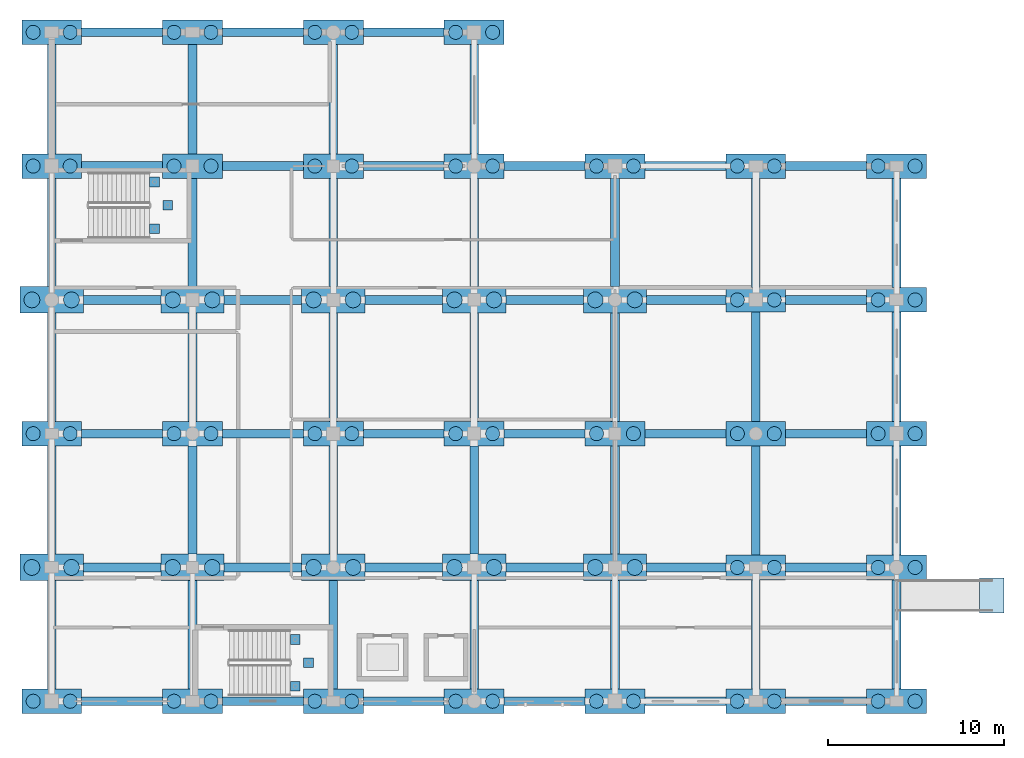
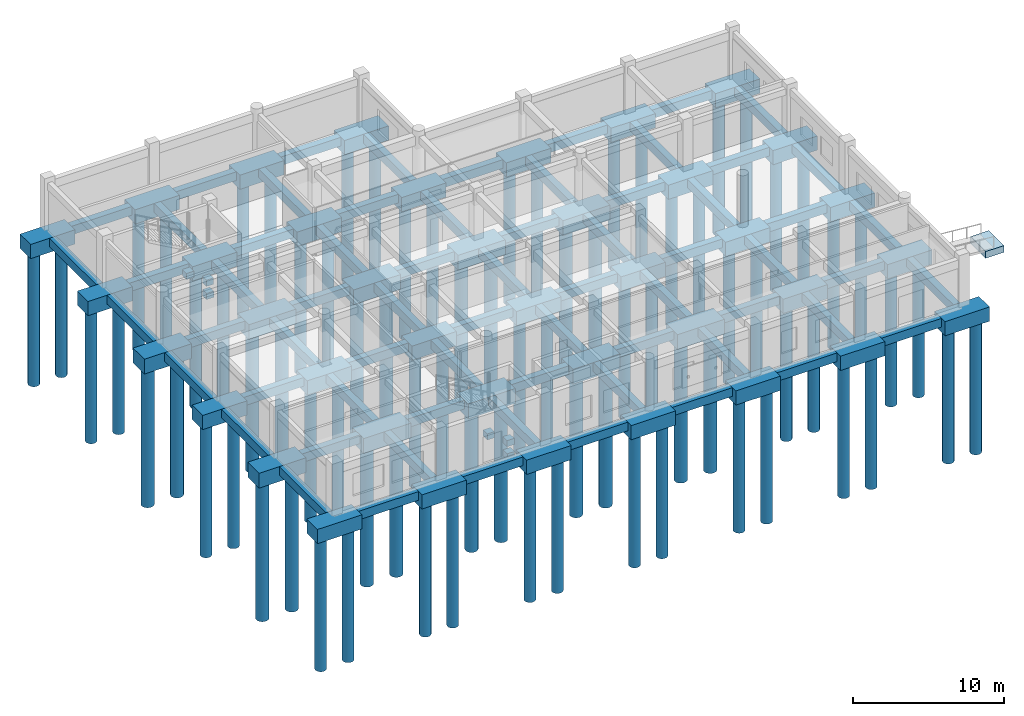
# One storey, part 1 of 11: 111 footings, 78 piles.
"""IFC4 building model written with IfcOpenShell, lengths in metres."""

from ifc_helpers import new_model, si_unit, direction, frame, origin, origin_2d, place, context, subcontext, project, spatial, rectangle, circle, extrude, material, material_profile, profile_set, type_object, element, save


model = new_model("IFC4")

# Units and contexts
model_context = context("Model", 3, precision=1e-05, world=origin(), true_north=direction((0.0, 1.0)))
body_context = subcontext(model_context, "Body", "Model", "MODEL_VIEW")
ifc_project = project(units=[si_unit("LENGTHUNIT", "METRE"), si_unit("AREAUNIT", "SQUARE_METRE"), si_unit("VOLUMEUNIT", "CUBIC_METRE"), si_unit("PLANEANGLEUNIT", "RADIAN"), si_unit("MASSUNIT", "GRAM", prefix="KILO")], contexts=[model_context])

# Site, building, storey
site_placement = place(None, origin())
site = spatial("IfcSite", under=ifc_project, at=site_placement, CompositionType="ELEMENT")
building_placement = place(site_placement, origin())
building = spatial("IfcBuilding", under=site, at=building_placement, Name="Kharva Crest Polytechnic", CompositionType="ELEMENT")
storey_placement = place(building_placement, frame((0.0, 0.0, -4.199951171875)))
storey = spatial("IfcBuildingStorey", under=building, at=storey_placement, Name="LG", CompositionType="ELEMENT", Elevation=-4.199951171875)

# Footings
ifc_material = material(Name="Concrete C35/45", Category="concrete")
footing_type_1 = type_object("IfcFootingType", Name="FTG-GB-500X700", PredefinedType="FOOTING_BEAM", material=ifc_material)
for number, where, z_axis, x_axis, name in (
    (1, (124.800048828125, 0.0, -1.1201171875), (0.0, 0.0, 1.0), (1.0, 0.0, 0.0), "LG Ground Tie Beam A/16J-17"),
    (2, (132.800048828125, 0.0, -1.1201171875), (0.0, 0.0, 1.0), (1.0, 0.0, 0.0), "LG Ground Tie Beam A/17-18"),
    (3, (140.800048828125, 0.0, -1.1201171875), (0.0, 0.0, 1.0), (1.0, 0.0, 0.0), "LG Ground Tie Beam A/18-19"),
    (4, (148.800048828125, 0.0, -1.1201171875), (0.0, 0.0, 1.0), (1.0, 0.0, 0.0), "LG Ground Tie Beam A/19-20"),
    (5, (156.800048828125, 0.0, -1.1201171875), (0.0, 0.0, 1.0), (1.0, 0.0, 0.0), "LG Ground Tie Beam A/20-21"),
    (6, (164.800048828125, 0.0, -1.1201171875), (0.0, 0.0, 1.0), (1.0, 0.0, 0.0), "LG Ground Tie Beam A/21-22"),
):
    element("IfcFooting", number, at=place(storey_placement, frame(where, z_axis=z_axis, x_axis=x_axis)), inside=storey, type_object=footing_type_1, Name=name, PredefinedType="FOOTING_BEAM", context=body_context, shape_type="SweptSolid", body=[
        extrude(rectangle(XDim=4.60009765625, YDim=0.5, at=origin_2d()), origin(), (0.0, 0.0, 1.0), 0.699951171875),
    ])
for number, where, z_axis, x_axis, name in (
    (7, (124.800048828125, 7.60009765625, -1.1201171875), (0.0, 0.0, 1.0), (1.0, 0.0, 0.0), "LG Ground Tie Beam B/16J-17"),
    (8, (132.800048828125, 7.60009765625, -1.1201171875), (0.0, 0.0, 1.0), (1.0, 0.0, 0.0), "LG Ground Tie Beam B/17-18"),
    (9, (140.800048828125, 7.60009765625, -1.1201171875), (0.0, 0.0, 1.0), (1.0, 0.0, 0.0), "LG Ground Tie Beam B/18-19"),
    (10, (148.800048828125, 7.60009765625, -1.1201171875), (0.0, 0.0, 1.0), (1.0, 0.0, 0.0), "LG Ground Tie Beam B/19-20"),
):
    element("IfcFooting", number, at=place(storey_placement, frame(where, z_axis=z_axis, x_axis=x_axis)), inside=storey, type_object=footing_type_1, Name=name, PredefinedType="FOOTING_BEAM", context=body_context, shape_type="SweptSolid", body=[
        extrude(rectangle(XDim=4.39990234375, YDim=0.5, at=origin_2d()), origin(), (0.0, 0.0, 1.0), 0.699951171875),
    ])
footing_1_placement = place(storey_placement, frame((156.85009765625, 7.60009765625, -1.1201171875), z_axis=(0.0, 0.0, 1.0), x_axis=(1.0, 0.0, 0.0)))
element("IfcFooting", 11, at=footing_1_placement, inside=storey, type_object=footing_type_1, Name="LG Ground Tie Beam B/20-21", PredefinedType="FOOTING_BEAM", context=body_context, shape_type="SweptSolid", body=[
    extrude(rectangle(XDim=4.5, YDim=0.5, at=origin_2d()), origin(), (0.0, 0.0, 1.0), 0.699951171875),
])
for number, where, z_axis, x_axis, name in (
    (12, (164.800048828125, 7.60009765625, -1.1201171875), (0.0, 0.0, 1.0), (1.0, 0.0, 0.0), "LG Ground Tie Beam B/21-22"),
    (13, (124.800048828125, 15.199951171875, -1.1201171875), (0.0, 0.0, 1.0), (1.0, 0.0, 0.0), "LG Ground Tie Beam C/16J-17"),
    (14, (132.800048828125, 15.199951171875, -1.1201171875), (0.0, 0.0, 1.0), (1.0, 0.0, 0.0), "LG Ground Tie Beam C/17-18"),
    (15, (140.800048828125, 15.199951171875, -1.1201171875), (0.0, 0.0, 1.0), (1.0, 0.0, 0.0), "LG Ground Tie Beam C/18-19"),
    (16, (148.800048828125, 15.199951171875, -1.1201171875), (0.0, 0.0, 1.0), (1.0, 0.0, 0.0), "LG Ground Tie Beam C/19-20"),
    (17, (156.800048828125, 15.199951171875, -1.1201171875), (0.0, 0.0, 1.0), (1.0, 0.0, 0.0), "LG Ground Tie Beam C/20-21"),
    (18, (164.800048828125, 15.199951171875, -1.1201171875), (0.0, 0.0, 1.0), (1.0, 0.0, 0.0), "LG Ground Tie Beam C/21-22"),
):
    element("IfcFooting", number, at=place(storey_placement, frame(where, z_axis=z_axis, x_axis=x_axis)), inside=storey, type_object=footing_type_1, Name=name, PredefinedType="FOOTING_BEAM", context=body_context, shape_type="SweptSolid", body=[
        extrude(rectangle(XDim=4.60009765625, YDim=0.5, at=origin_2d()), origin(), (0.0, 0.0, 1.0), 0.699951171875),
    ])
for number, where, z_axis, x_axis, name in (
    (19, (124.800048828125, 22.800048828125, -1.1201171875), (0.0, 0.0, 1.0), (1.0, 0.0, 0.0), "LG Ground Tie Beam D/16J-17"),
    (20, (132.800048828125, 22.800048828125, -1.1201171875), (0.0, 0.0, 1.0), (1.0, 0.0, 0.0), "LG Ground Tie Beam D/17-18"),
    (21, (140.800048828125, 22.800048828125, -1.1201171875), (0.0, 0.0, 1.0), (1.0, 0.0, 0.0), "LG Ground Tie Beam D/18-19"),
    (22, (148.800048828125, 22.800048828125, -1.1201171875), (0.0, 0.0, 1.0), (1.0, 0.0, 0.0), "LG Ground Tie Beam D/19-20"),
):
    element("IfcFooting", number, at=place(storey_placement, frame(where, z_axis=z_axis, x_axis=x_axis)), inside=storey, type_object=footing_type_1, Name=name, PredefinedType="FOOTING_BEAM", context=body_context, shape_type="SweptSolid", body=[
        extrude(rectangle(XDim=4.39990234375, YDim=0.5, at=origin_2d()), origin(), (0.0, 0.0, 1.0), 0.699951171875),
    ])
footing_2_placement = place(storey_placement, frame((156.85009765625, 22.800048828125, -1.1201171875), z_axis=(0.0, 0.0, 1.0), x_axis=(1.0, 0.0, 0.0)))
element("IfcFooting", 23, at=footing_2_placement, inside=storey, type_object=footing_type_1, Name="LG Ground Tie Beam D/20-21", PredefinedType="FOOTING_BEAM", context=body_context, shape_type="SweptSolid", body=[
    extrude(rectangle(XDim=4.5, YDim=0.5, at=origin_2d()), origin(), (0.0, 0.0, 1.0), 0.699951171875),
])
for number, where, z_axis, x_axis, name in (
    (24, (164.800048828125, 22.800048828125, -1.1201171875), (0.0, 0.0, 1.0), (1.0, 0.0, 0.0), "LG Ground Tie Beam D/21-22"),
    (25, (124.800048828125, 30.39990234375, -1.1201171875), (0.0, 0.0, 1.0), (1.0, 0.0, 0.0), "LG Ground Tie Beam E/16J-17"),
    (26, (132.800048828125, 30.39990234375, -1.1201171875), (0.0, 0.0, 1.0), (1.0, 0.0, 0.0), "LG Ground Tie Beam E/17-18"),
    (27, (140.800048828125, 30.39990234375, -1.1201171875), (0.0, 0.0, 1.0), (1.0, 0.0, 0.0), "LG Ground Tie Beam E/18-19"),
    (28, (148.800048828125, 30.39990234375, -1.1201171875), (0.0, 0.0, 1.0), (1.0, 0.0, 0.0), "LG Ground Tie Beam E/19-20"),
    (29, (156.800048828125, 30.39990234375, -1.1201171875), (0.0, 0.0, 1.0), (1.0, 0.0, 0.0), "LG Ground Tie Beam E/20-21"),
    (30, (164.800048828125, 30.39990234375, -1.1201171875), (0.0, 0.0, 1.0), (1.0, 0.0, 0.0), "LG Ground Tie Beam E/21-22"),
    (31, (124.800048828125, 38.0, -1.1201171875), (0.0, 0.0, 1.0), (1.0, 0.0, 0.0), "LG Ground Tie Beam F/16J-17"),
    (32, (132.800048828125, 38.0, -1.1201171875), (0.0, 0.0, 1.0), (1.0, 0.0, 0.0), "LG Ground Tie Beam F/17-18"),
    (33, (140.800048828125, 38.0, -1.1201171875), (0.0, 0.0, 1.0), (1.0, 0.0, 0.0), "LG Ground Tie Beam F/18-19"),
):
    element("IfcFooting", number, at=place(storey_placement, frame(where, z_axis=z_axis, x_axis=x_axis)), inside=storey, type_object=footing_type_1, Name=name, PredefinedType="FOOTING_BEAM", context=body_context, shape_type="SweptSolid", body=[
        extrude(rectangle(XDim=4.60009765625, YDim=0.5, at=origin_2d()), origin(), (0.0, 0.0, 1.0), 0.699951171875),
    ])
for number, where, z_axis, x_axis, name in (
    (34, (120.800048828125, 3.77490234375, -1.1201171875), (0.0, 0.0, 1.0), (0.0, 1.0, 0.0), "LG Ground Tie Beam 16J/A-B"),
    (35, (120.800048828125, 11.425048828125, -1.1201171875), (0.0, 0.0, 1.0), (0.0, 1.0, 0.0), "LG Ground Tie Beam 16J/B-C"),
    (36, (120.800048828125, 18.97509765625, -1.1201171875), (0.0, 0.0, 1.0), (0.0, 1.0, 0.0), "LG Ground Tie Beam 16J/C-D"),
    (37, (120.800048828125, 26.625, -1.1201171875), (0.0, 0.0, 1.0), (0.0, 1.0, 0.0), "LG Ground Tie Beam 16J/D-E"),
):
    element("IfcFooting", number, at=place(storey_placement, frame(where, z_axis=z_axis, x_axis=x_axis)), inside=storey, type_object=footing_type_1, Name=name, PredefinedType="FOOTING_BEAM", context=body_context, shape_type="SweptSolid", body=[
        extrude(rectangle(XDim=6.14990234375, YDim=0.5, at=origin_2d()), origin(), (0.0, 0.0, 1.0), 0.699951171875),
    ])
footing_3_placement = place(storey_placement, frame((120.800048828125, 34.199951171875, -1.1201171875), z_axis=(0.0, 0.0, 1.0), x_axis=(0.0, 1.0, 0.0)))
element("IfcFooting", 38, at=footing_3_placement, inside=storey, type_object=footing_type_1, Name="LG Ground Tie Beam 16J/E-F", PredefinedType="FOOTING_BEAM", context=body_context, shape_type="SweptSolid", body=[
    extrude(rectangle(XDim=6.199951171875, YDim=0.5, at=origin_2d()), origin(), (0.0, 0.0, 1.0), 0.699951171875),
])
for number, where, z_axis, x_axis, name in (
    (39, (128.800048828125, 3.77490234375, -1.1201171875), (0.0, 0.0, 1.0), (0.0, 1.0, 0.0), "LG Ground Tie Beam 17/A-B"),
    (40, (128.800048828125, 11.425048828125, -1.1201171875), (0.0, 0.0, 1.0), (0.0, 1.0, 0.0), "LG Ground Tie Beam 17/B-C"),
    (41, (128.800048828125, 18.97509765625, -1.1201171875), (0.0, 0.0, 1.0), (0.0, 1.0, 0.0), "LG Ground Tie Beam 17/C-D"),
    (42, (128.800048828125, 26.625, -1.1201171875), (0.0, 0.0, 1.0), (0.0, 1.0, 0.0), "LG Ground Tie Beam 17/D-E"),
):
    element("IfcFooting", number, at=place(storey_placement, frame(where, z_axis=z_axis, x_axis=x_axis)), inside=storey, type_object=footing_type_1, Name=name, PredefinedType="FOOTING_BEAM", context=body_context, shape_type="SweptSolid", body=[
        extrude(rectangle(XDim=6.14990234375, YDim=0.5, at=origin_2d()), origin(), (0.0, 0.0, 1.0), 0.699951171875),
    ])
footing_4_placement = place(storey_placement, frame((128.800048828125, 34.199951171875, -1.1201171875), z_axis=(0.0, 0.0, 1.0), x_axis=(0.0, 1.0, 0.0)))
element("IfcFooting", 43, at=footing_4_placement, inside=storey, type_object=footing_type_1, Name="LG Ground Tie Beam 17/E-F", PredefinedType="FOOTING_BEAM", context=body_context, shape_type="SweptSolid", body=[
    extrude(rectangle(XDim=6.199951171875, YDim=0.5, at=origin_2d()), origin(), (0.0, 0.0, 1.0), 0.699951171875),
])
for number, where, z_axis, x_axis, name in (
    (44, (136.800048828125, 3.77490234375, -1.1201171875), (0.0, 0.0, 1.0), (0.0, 1.0, 0.0), "LG Ground Tie Beam 18/A-B"),
    (45, (136.800048828125, 11.425048828125, -1.1201171875), (0.0, 0.0, 1.0), (0.0, 1.0, 0.0), "LG Ground Tie Beam 18/B-C"),
    (46, (136.800048828125, 18.97509765625, -1.1201171875), (0.0, 0.0, 1.0), (0.0, 1.0, 0.0), "LG Ground Tie Beam 18/C-D"),
    (47, (136.800048828125, 26.625, -1.1201171875), (0.0, 0.0, 1.0), (0.0, 1.0, 0.0), "LG Ground Tie Beam 18/D-E"),
):
    element("IfcFooting", number, at=place(storey_placement, frame(where, z_axis=z_axis, x_axis=x_axis)), inside=storey, type_object=footing_type_1, Name=name, PredefinedType="FOOTING_BEAM", context=body_context, shape_type="SweptSolid", body=[
        extrude(rectangle(XDim=6.14990234375, YDim=0.5, at=origin_2d()), origin(), (0.0, 0.0, 1.0), 0.699951171875),
    ])
footing_5_placement = place(storey_placement, frame((136.800048828125, 34.199951171875, -1.1201171875), z_axis=(0.0, 0.0, 1.0), x_axis=(0.0, 1.0, 0.0)))
element("IfcFooting", 48, at=footing_5_placement, inside=storey, type_object=footing_type_1, Name="LG Ground Tie Beam 18/E-F", PredefinedType="FOOTING_BEAM", context=body_context, shape_type="SweptSolid", body=[
    extrude(rectangle(XDim=6.199951171875, YDim=0.5, at=origin_2d()), origin(), (0.0, 0.0, 1.0), 0.699951171875),
])
for number, where, z_axis, x_axis, name in (
    (49, (144.800048828125, 3.77490234375, -1.1201171875), (0.0, 0.0, 1.0), (0.0, 1.0, 0.0), "LG Ground Tie Beam 19/A-B"),
    (50, (144.800048828125, 11.425048828125, -1.1201171875), (0.0, 0.0, 1.0), (0.0, 1.0, 0.0), "LG Ground Tie Beam 19/B-C"),
    (51, (144.800048828125, 18.97509765625, -1.1201171875), (0.0, 0.0, 1.0), (0.0, 1.0, 0.0), "LG Ground Tie Beam 19/C-D"),
    (52, (144.800048828125, 26.625, -1.1201171875), (0.0, 0.0, 1.0), (0.0, 1.0, 0.0), "LG Ground Tie Beam 19/D-E"),
):
    element("IfcFooting", number, at=place(storey_placement, frame(where, z_axis=z_axis, x_axis=x_axis)), inside=storey, type_object=footing_type_1, Name=name, PredefinedType="FOOTING_BEAM", context=body_context, shape_type="SweptSolid", body=[
        extrude(rectangle(XDim=6.14990234375, YDim=0.5, at=origin_2d()), origin(), (0.0, 0.0, 1.0), 0.699951171875),
    ])
footing_6_placement = place(storey_placement, frame((144.800048828125, 34.199951171875, -1.1201171875), z_axis=(0.0, 0.0, 1.0), x_axis=(0.0, 1.0, 0.0)))
element("IfcFooting", 53, at=footing_6_placement, inside=storey, type_object=footing_type_1, Name="LG Ground Tie Beam 19/E-F", PredefinedType="FOOTING_BEAM", context=body_context, shape_type="SweptSolid", body=[
    extrude(rectangle(XDim=6.199951171875, YDim=0.5, at=origin_2d()), origin(), (0.0, 0.0, 1.0), 0.699951171875),
])
for number, where, z_axis, x_axis, name in (
    (54, (152.800048828125, 3.77490234375, -1.1201171875), (0.0, 0.0, 1.0), (0.0, 1.0, 0.0), "LG Ground Tie Beam 20/A-B"),
    (55, (152.800048828125, 11.425048828125, -1.1201171875), (0.0, 0.0, 1.0), (0.0, 1.0, 0.0), "LG Ground Tie Beam 20/B-C"),
    (56, (152.800048828125, 18.97509765625, -1.1201171875), (0.0, 0.0, 1.0), (0.0, 1.0, 0.0), "LG Ground Tie Beam 20/C-D"),
    (57, (152.800048828125, 26.625, -1.1201171875), (0.0, 0.0, 1.0), (0.0, 1.0, 0.0), "LG Ground Tie Beam 20/D-E"),
):
    element("IfcFooting", number, at=place(storey_placement, frame(where, z_axis=z_axis, x_axis=x_axis)), inside=storey, type_object=footing_type_1, Name=name, PredefinedType="FOOTING_BEAM", context=body_context, shape_type="SweptSolid", body=[
        extrude(rectangle(XDim=6.14990234375, YDim=0.5, at=origin_2d()), origin(), (0.0, 0.0, 1.0), 0.699951171875),
    ])
for number, where, z_axis, x_axis, name in (
    (58, (160.800048828125, 3.800048828125, -1.1201171875), (0.0, 0.0, 1.0), (0.0, 1.0, 0.0), "LG Ground Tie Beam 21/A-B"),
    (59, (160.800048828125, 11.39990234375, -1.1201171875), (0.0, 0.0, 1.0), (0.0, 1.0, 0.0), "LG Ground Tie Beam 21/B-C"),
    (60, (160.800048828125, 19.0, -1.1201171875), (0.0, 0.0, 1.0), (0.0, 1.0, 0.0), "LG Ground Tie Beam 21/C-D"),
    (61, (160.800048828125, 26.60009765625, -1.1201171875), (0.0, 0.0, 1.0), (0.0, 1.0, 0.0), "LG Ground Tie Beam 21/D-E"),
    (62, (168.800048828125, 3.800048828125, -1.1201171875), (0.0, 0.0, 1.0), (0.0, 1.0, 0.0), "LG Ground Tie Beam 22/A-B"),
    (63, (168.800048828125, 11.39990234375, -1.1201171875), (0.0, 0.0, 1.0), (0.0, 1.0, 0.0), "LG Ground Tie Beam 22/B-C"),
    (64, (168.800048828125, 19.0, -1.1201171875), (0.0, 0.0, 1.0), (0.0, 1.0, 0.0), "LG Ground Tie Beam 22/C-D"),
    (65, (168.800048828125, 26.60009765625, -1.1201171875), (0.0, 0.0, 1.0), (0.0, 1.0, 0.0), "LG Ground Tie Beam 22/D-E"),
):
    element("IfcFooting", number, at=place(storey_placement, frame(where, z_axis=z_axis, x_axis=x_axis)), inside=storey, type_object=footing_type_1, Name=name, PredefinedType="FOOTING_BEAM", context=body_context, shape_type="SweptSolid", body=[
        extrude(rectangle(XDim=6.199951171875, YDim=0.5, at=origin_2d()), origin(), (0.0, 0.0, 1.0), 0.699951171875),
    ])
footing_type_2 = type_object("IfcFootingType", Name="FTG-PAD-1500X1500", PredefinedType="PAD_FOOTING", material=ifc_material)
for number, where, z_axis, x_axis, name in (
    (66, (134.635009765625, 0.85009765625, -0.920166015625), (0.0, 0.0, 1.0), (1.0, 0.0, 0.0), "LG Stair ST-06 Landing Pad SW"),
    (67, (134.635009765625, 3.510009765625, -0.920166015625), (0.0, 0.0, 1.0), (1.0, 0.0, 0.0), "LG Stair ST-06 Landing Pad NW"),
    (68, (135.385009765625, 2.179931640625, -0.920166015625), (0.0, 0.0, 1.0), (1.0, 0.0, 0.0), "LG Stair ST-06 Landing Pad EM"),
    (69, (126.64501953125, 26.840087890625, -0.920166015625), (0.0, 0.0, 1.0), (1.0, 0.0, 0.0), "LG Stair ST-07 Landing Pad SW"),
    (70, (126.64501953125, 29.5, -0.920166015625), (0.0, 0.0, 1.0), (1.0, 0.0, 0.0), "LG Stair ST-07 Landing Pad NW"),
    (71, (127.39501953125, 28.169921875, -0.920166015625), (0.0, 0.0, 1.0), (1.0, 0.0, 0.0), "LG Stair ST-07 Landing Pad EM"),
):
    element("IfcFooting", number, at=place(storey_placement, frame(where, z_axis=z_axis, x_axis=x_axis)), inside=storey, type_object=footing_type_2, Name=name, PredefinedType="PAD_FOOTING", context=body_context, shape_type="SweptSolid", body=[
        extrude(rectangle(XDim=0.550048828125, YDim=0.550048828125, at=origin_2d()), origin(), (0.0, 0.0, 1.0), 0.5),
    ])
footing_type_3 = type_object("IfcFootingType", Name="FTG-PAD-2000X1400", PredefinedType="PAD_FOOTING", material=ifc_material)
footing_7_placement = place(storey_placement, frame((174.199951171875, 6.0, -1.0), z_axis=(0.0, 0.0, 1.0), x_axis=(0.0, 1.0, 0.0)))
element("IfcFooting", 72, at=footing_7_placement, inside=storey, type_object=footing_type_3, Name="LG Ramp Toe Pad Footing RMP-LG-E", PredefinedType="PAD_FOOTING", context=body_context, shape_type="SweptSolid", body=[
    extrude(rectangle(XDim=2.0, YDim=1.39990234375, at=origin_2d()), origin(), (0.0, 0.0, 1.0), 0.550048828125),
])
footing_type_4 = type_object("IfcFootingType", Name="FTG-PC-3400X1400", PredefinedType="PILE_CAP", material=ifc_material)
for number, where, z_axis, x_axis, name in (
    (73, (120.800048828125, 0.0, -1.570068359375), (0.0, 0.0, 1.0), (1.0, 0.0, 0.0), "LG Pile Cap 16J/A"),
    (74, (120.800048828125, 15.199951171875, -1.570068359375), (0.0, 0.0, 1.0), (1.0, 0.0, 0.0), "LG Pile Cap 16J/C"),
    (75, (120.800048828125, 30.39990234375, -1.570068359375), (0.0, 0.0, 1.0), (1.0, 0.0, 0.0), "LG Pile Cap 16J/E"),
    (76, (120.800048828125, 38.0, -1.570068359375), (0.0, 0.0, 1.0), (1.0, 0.0, 0.0), "LG Pile Cap 16J/F"),
    (77, (128.800048828125, 0.0, -1.570068359375), (0.0, 0.0, 1.0), (1.0, 0.0, 0.0), "LG Pile Cap 17/A"),
    (78, (128.800048828125, 15.199951171875, -1.570068359375), (0.0, 0.0, 1.0), (1.0, 0.0, 0.0), "LG Pile Cap 17/C"),
    (79, (128.800048828125, 30.39990234375, -1.570068359375), (0.0, 0.0, 1.0), (1.0, 0.0, 0.0), "LG Pile Cap 17/E"),
    (80, (128.800048828125, 38.0, -1.570068359375), (0.0, 0.0, 1.0), (1.0, 0.0, 0.0), "LG Pile Cap 17/F"),
    (81, (136.800048828125, 0.0, -1.570068359375), (0.0, 0.0, 1.0), (1.0, 0.0, 0.0), "LG Pile Cap 18/A"),
    (82, (136.800048828125, 15.199951171875, -1.570068359375), (0.0, 0.0, 1.0), (1.0, 0.0, 0.0), "LG Pile Cap 18/C"),
    (83, (136.800048828125, 30.39990234375, -1.570068359375), (0.0, 0.0, 1.0), (1.0, 0.0, 0.0), "LG Pile Cap 18/E"),
    (84, (136.800048828125, 38.0, -1.570068359375), (0.0, 0.0, 1.0), (1.0, 0.0, 0.0), "LG Pile Cap 18/F"),
    (85, (144.800048828125, 0.0, -1.570068359375), (0.0, 0.0, 1.0), (1.0, 0.0, 0.0), "LG Pile Cap 19/A"),
    (86, (144.800048828125, 15.199951171875, -1.570068359375), (0.0, 0.0, 1.0), (1.0, 0.0, 0.0), "LG Pile Cap 19/C"),
    (87, (144.800048828125, 30.39990234375, -1.570068359375), (0.0, 0.0, 1.0), (1.0, 0.0, 0.0), "LG Pile Cap 19/E"),
    (88, (144.800048828125, 38.0, -1.570068359375), (0.0, 0.0, 1.0), (1.0, 0.0, 0.0), "LG Pile Cap 19/F"),
    (89, (152.800048828125, 0.0, -1.570068359375), (0.0, 0.0, 1.0), (1.0, 0.0, 0.0), "LG Pile Cap 20/A"),
    (90, (152.800048828125, 15.199951171875, -1.570068359375), (0.0, 0.0, 1.0), (1.0, 0.0, 0.0), "LG Pile Cap 20/C"),
    (91, (152.800048828125, 30.39990234375, -1.570068359375), (0.0, 0.0, 1.0), (1.0, 0.0, 0.0), "LG Pile Cap 20/E"),
    (92, (160.800048828125, 0.0, -1.570068359375), (0.0, 0.0, 1.0), (1.0, 0.0, 0.0), "LG Pile Cap 21/A"),
    (93, (160.800048828125, 7.60009765625, -1.570068359375), (0.0, 0.0, 1.0), (1.0, 0.0, 0.0), "LG Pile Cap 21/B"),
    (94, (160.800048828125, 15.199951171875, -1.570068359375), (0.0, 0.0, 1.0), (1.0, 0.0, 0.0), "LG Pile Cap 21/C"),
    (95, (160.800048828125, 22.800048828125, -1.570068359375), (0.0, 0.0, 1.0), (1.0, 0.0, 0.0), "LG Pile Cap 21/D"),
    (96, (160.800048828125, 30.39990234375, -1.570068359375), (0.0, 0.0, 1.0), (1.0, 0.0, 0.0), "LG Pile Cap 21/E"),
    (97, (168.800048828125, 0.0, -1.570068359375), (0.0, 0.0, 1.0), (1.0, 0.0, 0.0), "LG Pile Cap 22/A"),
    (98, (168.800048828125, 7.60009765625, -1.570068359375), (0.0, 0.0, 1.0), (1.0, 0.0, 0.0), "LG Pile Cap 22/B"),
    (99, (168.800048828125, 15.199951171875, -1.570068359375), (0.0, 0.0, 1.0), (1.0, 0.0, 0.0), "LG Pile Cap 22/C"),
    (100, (168.800048828125, 22.800048828125, -1.570068359375), (0.0, 0.0, 1.0), (1.0, 0.0, 0.0), "LG Pile Cap 22/D"),
    (101, (168.800048828125, 30.39990234375, -1.570068359375), (0.0, 0.0, 1.0), (1.0, 0.0, 0.0), "LG Pile Cap 22/E"),
):
    element("IfcFooting", number, at=place(storey_placement, frame(where, z_axis=z_axis, x_axis=x_axis)), inside=storey, type_object=footing_type_4, Name=name, PredefinedType="PILE_CAP", context=body_context, shape_type="SweptSolid", body=[
        extrude(rectangle(XDim=3.39990234375, YDim=1.39990234375, at=origin_2d()), origin(), (0.0, 0.0, 1.0), 1.14990234375),
    ])
footing_type_5 = type_object("IfcFootingType", Name="FTG-PC-3600X1500", PredefinedType="PILE_CAP", material=ifc_material)
for number, where, z_axis, x_axis, name in (
    (102, (120.800048828125, 7.60009765625, -1.6201171875), (0.0, 0.0, 1.0), (1.0, 0.0, 0.0), "LG Pile Cap 16J/B"),
    (103, (120.800048828125, 22.800048828125, -1.6201171875), (0.0, 0.0, 1.0), (1.0, 0.0, 0.0), "LG Pile Cap 16J/D"),
    (104, (128.800048828125, 7.60009765625, -1.6201171875), (0.0, 0.0, 1.0), (1.0, 0.0, 0.0), "LG Pile Cap 17/B"),
    (105, (128.800048828125, 22.800048828125, -1.6201171875), (0.0, 0.0, 1.0), (1.0, 0.0, 0.0), "LG Pile Cap 17/D"),
    (106, (136.800048828125, 7.60009765625, -1.6201171875), (0.0, 0.0, 1.0), (1.0, 0.0, 0.0), "LG Pile Cap 18/B"),
    (107, (136.800048828125, 22.800048828125, -1.6201171875), (0.0, 0.0, 1.0), (1.0, 0.0, 0.0), "LG Pile Cap 18/D"),
    (108, (144.800048828125, 7.60009765625, -1.6201171875), (0.0, 0.0, 1.0), (1.0, 0.0, 0.0), "LG Pile Cap 19/B"),
    (109, (144.800048828125, 22.800048828125, -1.6201171875), (0.0, 0.0, 1.0), (1.0, 0.0, 0.0), "LG Pile Cap 19/D"),
    (110, (152.800048828125, 7.60009765625, -1.6201171875), (0.0, 0.0, 1.0), (1.0, 0.0, 0.0), "LG Pile Cap 20/B"),
    (111, (152.800048828125, 22.800048828125, -1.6201171875), (0.0, 0.0, 1.0), (1.0, 0.0, 0.0), "LG Pile Cap 20/D"),
):
    element("IfcFooting", number, at=place(storey_placement, frame(where, z_axis=z_axis, x_axis=x_axis)), inside=storey, type_object=footing_type_5, Name=name, PredefinedType="PILE_CAP", context=body_context, shape_type="SweptSolid", body=[
        extrude(rectangle(XDim=3.60009765625, YDim=1.5, at=origin_2d()), origin(), (0.0, 0.0, 1.0), 1.199951171875),
    ])

# Piles
ifc_material_profile_1 = material_profile(ifc_material, circle(Radius=0.39990234375, at=origin_2d()), Name="DIA 800")
ifc_profile_set_1 = profile_set([ifc_material_profile_1], Name="Concrete C35/45")
pile_type_1 = type_object("IfcPileType", Name="PILE-BORED-800", PredefinedType="BORED", material=ifc_profile_set_1)
for number, where, z_axis, x_axis, name in (
    (112, (119.75, 0.0, -1.469970703125), (0.0, 0.0, -1.0), (1.0, 0.0, 0.0), "LG Bored Pile 16J/A-1"),
    (113, (121.85009765625, 0.0, -1.469970703125), (0.0, 0.0, -1.0), (1.0, 0.0, 0.0), "LG Bored Pile 16J/A-2"),
    (114, (119.75, 15.199951171875, -1.469970703125), (0.0, 0.0, -1.0), (1.0, 0.0, 0.0), "LG Bored Pile 16J/C-1"),
    (115, (121.85009765625, 15.199951171875, -1.469970703125), (0.0, 0.0, -1.0), (1.0, 0.0, 0.0), "LG Bored Pile 16J/C-2"),
    (116, (119.75, 30.39990234375, -1.469970703125), (0.0, 0.0, -1.0), (1.0, 0.0, 0.0), "LG Bored Pile 16J/E-1"),
    (117, (121.85009765625, 30.39990234375, -1.469970703125), (0.0, 0.0, -1.0), (1.0, 0.0, 0.0), "LG Bored Pile 16J/E-2"),
    (118, (119.75, 38.0, -1.469970703125), (0.0, 0.0, -1.0), (1.0, 0.0, 0.0), "LG Bored Pile 16J/F-1"),
    (119, (121.85009765625, 38.0, -1.469970703125), (0.0, 0.0, -1.0), (1.0, 0.0, 0.0), "LG Bored Pile 16J/F-2"),
    (120, (127.75, 0.0, -1.469970703125), (0.0, 0.0, -1.0), (1.0, 0.0, 0.0), "LG Bored Pile 17/A-1"),
    (121, (129.85009765625, 0.0, -1.469970703125), (0.0, 0.0, -1.0), (1.0, 0.0, 0.0), "LG Bored Pile 17/A-2"),
    (122, (127.75, 15.199951171875, -1.469970703125), (0.0, 0.0, -1.0), (1.0, 0.0, 0.0), "LG Bored Pile 17/C-1"),
    (123, (129.85009765625, 15.199951171875, -1.469970703125), (0.0, 0.0, -1.0), (1.0, 0.0, 0.0), "LG Bored Pile 17/C-2"),
    (124, (127.75, 30.39990234375, -1.469970703125), (0.0, 0.0, -1.0), (1.0, 0.0, 0.0), "LG Bored Pile 17/E-1"),
    (125, (129.85009765625, 30.39990234375, -1.469970703125), (0.0, 0.0, -1.0), (1.0, 0.0, 0.0), "LG Bored Pile 17/E-2"),
    (126, (127.75, 38.0, -1.469970703125), (0.0, 0.0, -1.0), (1.0, 0.0, 0.0), "LG Bored Pile 17/F-1"),
    (127, (129.85009765625, 38.0, -1.469970703125), (0.0, 0.0, -1.0), (1.0, 0.0, 0.0), "LG Bored Pile 17/F-2"),
    (128, (135.75, 0.0, -1.469970703125), (0.0, 0.0, -1.0), (1.0, 0.0, 0.0), "LG Bored Pile 18/A-1"),
    (129, (137.85009765625, 0.0, -1.469970703125), (0.0, 0.0, -1.0), (1.0, 0.0, 0.0), "LG Bored Pile 18/A-2"),
    (130, (135.75, 15.199951171875, -1.469970703125), (0.0, 0.0, -1.0), (1.0, 0.0, 0.0), "LG Bored Pile 18/C-1"),
    (131, (137.85009765625, 15.199951171875, -1.469970703125), (0.0, 0.0, -1.0), (1.0, 0.0, 0.0), "LG Bored Pile 18/C-2"),
    (132, (135.75, 30.39990234375, -1.469970703125), (0.0, 0.0, -1.0), (1.0, 0.0, 0.0), "LG Bored Pile 18/E-1"),
    (133, (137.85009765625, 30.39990234375, -1.469970703125), (0.0, 0.0, -1.0), (1.0, 0.0, 0.0), "LG Bored Pile 18/E-2"),
    (134, (135.75, 38.0, -1.469970703125), (0.0, 0.0, -1.0), (1.0, 0.0, 0.0), "LG Bored Pile 18/F-1"),
    (135, (137.85009765625, 38.0, -1.469970703125), (0.0, 0.0, -1.0), (1.0, 0.0, 0.0), "LG Bored Pile 18/F-2"),
    (136, (143.75, 0.0, -1.469970703125), (0.0, 0.0, -1.0), (1.0, 0.0, 0.0), "LG Bored Pile 19/A-1"),
    (137, (145.85009765625, 0.0, -1.469970703125), (0.0, 0.0, -1.0), (1.0, 0.0, 0.0), "LG Bored Pile 19/A-2"),
    (138, (143.75, 15.199951171875, -1.469970703125), (0.0, 0.0, -1.0), (1.0, 0.0, 0.0), "LG Bored Pile 19/C-1"),
    (139, (145.85009765625, 15.199951171875, -1.469970703125), (0.0, 0.0, -1.0), (1.0, 0.0, 0.0), "LG Bored Pile 19/C-2"),
    (140, (143.75, 30.39990234375, -1.469970703125), (0.0, 0.0, -1.0), (1.0, 0.0, 0.0), "LG Bored Pile 19/E-1"),
    (141, (145.85009765625, 30.39990234375, -1.469970703125), (0.0, 0.0, -1.0), (1.0, 0.0, 0.0), "LG Bored Pile 19/E-2"),
    (142, (143.75, 38.0, -1.469970703125), (0.0, 0.0, -1.0), (1.0, 0.0, 0.0), "LG Bored Pile 19/F-1"),
    (143, (145.85009765625, 38.0, -1.469970703125), (0.0, 0.0, -1.0), (1.0, 0.0, 0.0), "LG Bored Pile 19/F-2"),
    (144, (151.75, 0.0, -1.469970703125), (0.0, 0.0, -1.0), (1.0, 0.0, 0.0), "LG Bored Pile 20/A-1"),
    (145, (153.85009765625, 0.0, -1.469970703125), (0.0, 0.0, -1.0), (1.0, 0.0, 0.0), "LG Bored Pile 20/A-2"),
    (146, (151.75, 15.199951171875, -1.469970703125), (0.0, 0.0, -1.0), (1.0, 0.0, 0.0), "LG Bored Pile 20/C-1"),
    (147, (153.85009765625, 15.199951171875, -1.469970703125), (0.0, 0.0, -1.0), (1.0, 0.0, 0.0), "LG Bored Pile 20/C-2"),
    (148, (151.75, 30.39990234375, -1.469970703125), (0.0, 0.0, -1.0), (1.0, 0.0, 0.0), "LG Bored Pile 20/E-1"),
    (149, (153.85009765625, 30.39990234375, -1.469970703125), (0.0, 0.0, -1.0), (1.0, 0.0, 0.0), "LG Bored Pile 20/E-2"),
    (150, (159.75, 0.0, -1.469970703125), (0.0, 0.0, -1.0), (1.0, 0.0, 0.0), "LG Bored Pile 21/A-1"),
    (151, (161.85009765625, 0.0, -1.469970703125), (0.0, 0.0, -1.0), (1.0, 0.0, 0.0), "LG Bored Pile 21/A-2"),
    (152, (159.75, 7.60009765625, -1.469970703125), (0.0, 0.0, -1.0), (1.0, 0.0, 0.0), "LG Bored Pile 21/B-1"),
    (153, (161.85009765625, 7.60009765625, -1.469970703125), (0.0, 0.0, -1.0), (1.0, 0.0, 0.0), "LG Bored Pile 21/B-2"),
    (154, (159.75, 15.199951171875, -1.469970703125), (0.0, 0.0, -1.0), (1.0, 0.0, 0.0), "LG Bored Pile 21/C-1"),
    (155, (161.85009765625, 15.199951171875, -1.469970703125), (0.0, 0.0, -1.0), (1.0, 0.0, 0.0), "LG Bored Pile 21/C-2"),
    (156, (159.75, 22.800048828125, -1.469970703125), (0.0, 0.0, -1.0), (1.0, 0.0, 0.0), "LG Bored Pile 21/D-1"),
    (157, (161.85009765625, 22.800048828125, -1.469970703125), (0.0, 0.0, -1.0), (1.0, 0.0, 0.0), "LG Bored Pile 21/D-2"),
    (158, (159.75, 30.39990234375, -1.469970703125), (0.0, 0.0, -1.0), (1.0, 0.0, 0.0), "LG Bored Pile 21/E-1"),
    (159, (161.85009765625, 30.39990234375, -1.469970703125), (0.0, 0.0, -1.0), (1.0, 0.0, 0.0), "LG Bored Pile 21/E-2"),
    (160, (167.75, 0.0, -1.469970703125), (0.0, 0.0, -1.0), (1.0, 0.0, 0.0), "LG Bored Pile 22/A-1"),
    (161, (169.85009765625, 0.0, -1.469970703125), (0.0, 0.0, -1.0), (1.0, 0.0, 0.0), "LG Bored Pile 22/A-2"),
    (162, (167.75, 7.60009765625, -1.469970703125), (0.0, 0.0, -1.0), (1.0, 0.0, 0.0), "LG Bored Pile 22/B-1"),
    (163, (169.85009765625, 7.60009765625, -1.469970703125), (0.0, 0.0, -1.0), (1.0, 0.0, 0.0), "LG Bored Pile 22/B-2"),
    (164, (167.75, 15.199951171875, -1.469970703125), (0.0, 0.0, -1.0), (1.0, 0.0, 0.0), "LG Bored Pile 22/C-1"),
    (165, (169.85009765625, 15.199951171875, -1.469970703125), (0.0, 0.0, -1.0), (1.0, 0.0, 0.0), "LG Bored Pile 22/C-2"),
    (166, (167.75, 22.800048828125, -1.469970703125), (0.0, 0.0, -1.0), (1.0, 0.0, 0.0), "LG Bored Pile 22/D-1"),
    (167, (169.85009765625, 22.800048828125, -1.469970703125), (0.0, 0.0, -1.0), (1.0, 0.0, 0.0), "LG Bored Pile 22/D-2"),
    (168, (167.75, 30.39990234375, -1.469970703125), (0.0, 0.0, -1.0), (1.0, 0.0, 0.0), "LG Bored Pile 22/E-1"),
    (169, (169.85009765625, 30.39990234375, -1.469970703125), (0.0, 0.0, -1.0), (1.0, 0.0, 0.0), "LG Bored Pile 22/E-2"),
):
    element("IfcPile", number, at=place(storey_placement, frame(where, z_axis=z_axis, x_axis=x_axis)), inside=storey, type_object=pile_type_1, Name=name, PredefinedType="BORED", context=body_context, shape_type="SweptSolid", body=[
        extrude(circle(Radius=0.39990234375, at=origin_2d()), origin(), (0.0, 0.0, 1.0), 10.830078125),
    ])
ifc_material_profile_2 = material_profile(ifc_material, circle(Radius=0.449951171875, at=origin_2d()), Name="DIA 900")
ifc_profile_set_2 = profile_set([ifc_material_profile_2], Name="Concrete C35/45")
pile_type_2 = type_object("IfcPileType", Name="PILE-BORED-900", PredefinedType="BORED", material=ifc_profile_set_2)
for number, where, z_axis, x_axis, name in (
    (170, (119.675048828125, 7.60009765625, -1.52001953125), (0.0, 0.0, -1.0), (1.0, 0.0, 0.0), "LG Bored Pile 16J/B-1"),
    (171, (121.925048828125, 7.60009765625, -1.52001953125), (0.0, 0.0, -1.0), (1.0, 0.0, 0.0), "LG Bored Pile 16J/B-2"),
    (172, (119.675048828125, 22.800048828125, -1.52001953125), (0.0, 0.0, -1.0), (1.0, 0.0, 0.0), "LG Bored Pile 16J/D-1"),
    (173, (121.925048828125, 22.800048828125, -1.52001953125), (0.0, 0.0, -1.0), (1.0, 0.0, 0.0), "LG Bored Pile 16J/D-2"),
    (174, (127.675048828125, 7.60009765625, -1.52001953125), (0.0, 0.0, -1.0), (1.0, 0.0, 0.0), "LG Bored Pile 17/B-1"),
    (175, (129.925048828125, 7.60009765625, -1.52001953125), (0.0, 0.0, -1.0), (1.0, 0.0, 0.0), "LG Bored Pile 17/B-2"),
    (176, (127.675048828125, 22.800048828125, -1.52001953125), (0.0, 0.0, -1.0), (1.0, 0.0, 0.0), "LG Bored Pile 17/D-1"),
    (177, (129.925048828125, 22.800048828125, -1.52001953125), (0.0, 0.0, -1.0), (1.0, 0.0, 0.0), "LG Bored Pile 17/D-2"),
    (178, (135.675048828125, 7.60009765625, -1.52001953125), (0.0, 0.0, -1.0), (1.0, 0.0, 0.0), "LG Bored Pile 18/B-1"),
    (179, (137.925048828125, 7.60009765625, -1.52001953125), (0.0, 0.0, -1.0), (1.0, 0.0, 0.0), "LG Bored Pile 18/B-2"),
    (180, (135.675048828125, 22.800048828125, -1.52001953125), (0.0, 0.0, -1.0), (1.0, 0.0, 0.0), "LG Bored Pile 18/D-1"),
    (181, (137.925048828125, 22.800048828125, -1.52001953125), (0.0, 0.0, -1.0), (1.0, 0.0, 0.0), "LG Bored Pile 18/D-2"),
    (182, (143.675048828125, 7.60009765625, -1.52001953125), (0.0, 0.0, -1.0), (1.0, 0.0, 0.0), "LG Bored Pile 19/B-1"),
    (183, (145.925048828125, 7.60009765625, -1.52001953125), (0.0, 0.0, -1.0), (1.0, 0.0, 0.0), "LG Bored Pile 19/B-2"),
    (184, (143.675048828125, 22.800048828125, -1.52001953125), (0.0, 0.0, -1.0), (1.0, 0.0, 0.0), "LG Bored Pile 19/D-1"),
    (185, (145.925048828125, 22.800048828125, -1.52001953125), (0.0, 0.0, -1.0), (1.0, 0.0, 0.0), "LG Bored Pile 19/D-2"),
    (186, (151.675048828125, 7.60009765625, -1.52001953125), (0.0, 0.0, -1.0), (1.0, 0.0, 0.0), "LG Bored Pile 20/B-1"),
    (187, (153.925048828125, 7.60009765625, -1.52001953125), (0.0, 0.0, -1.0), (1.0, 0.0, 0.0), "LG Bored Pile 20/B-2"),
    (188, (151.675048828125, 22.800048828125, -1.52001953125), (0.0, 0.0, -1.0), (1.0, 0.0, 0.0), "LG Bored Pile 20/D-1"),
    (189, (153.925048828125, 22.800048828125, -1.52001953125), (0.0, 0.0, -1.0), (1.0, 0.0, 0.0), "LG Bored Pile 20/D-2"),
):
    element("IfcPile", number, at=place(storey_placement, frame(where, z_axis=z_axis, x_axis=x_axis)), inside=storey, type_object=pile_type_2, Name=name, PredefinedType="BORED", context=body_context, shape_type="SweptSolid", body=[
        extrude(circle(Radius=0.449951171875, at=origin_2d()), origin(), (0.0, 0.0, 1.0), 11.280029296875),
    ])

save(model, "model.ifc")
